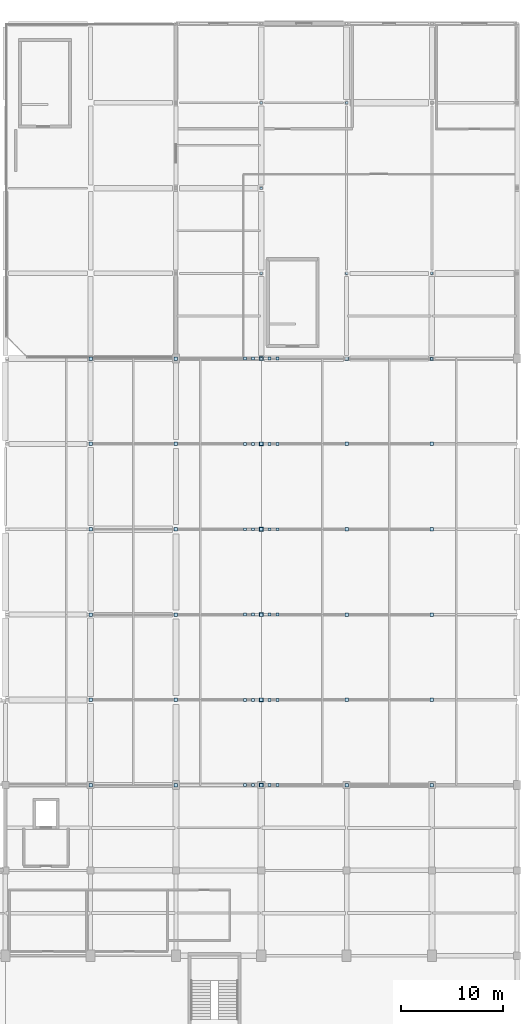
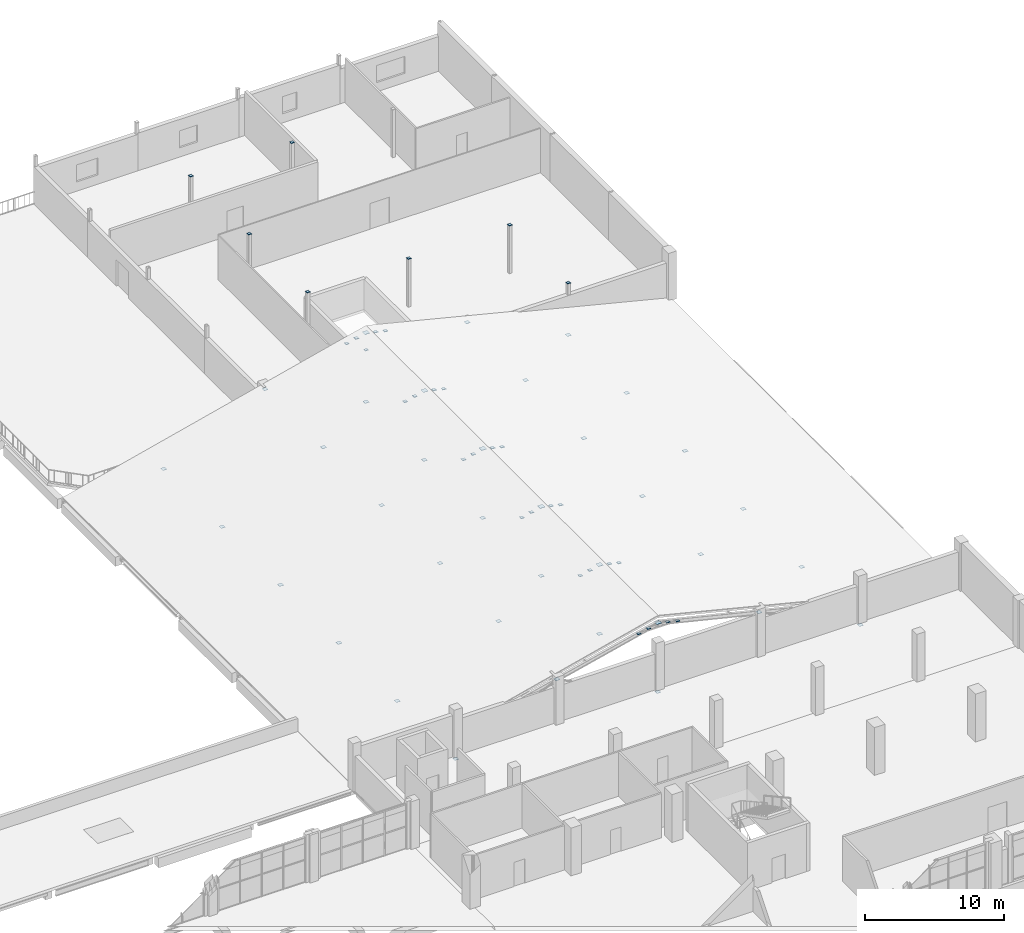
# One storey, part 49 of 64: 68 plates.
"""IFC4 building model written with IfcOpenShell, lengths in metres."""

from ifc_helpers import new_model, si_unit, derived_unit, direction, frame, origin, origin_2d, place, context, subcontext, project, spatial, rectangle, extrude, material, layer, layer_set, type_object, element, save


model = new_model("IFC4")

# Units and contexts
model_context = context("Model", 3, precision=1e-05, world=origin(), true_north=direction((0.0, 1.0)))
body_context = subcontext(model_context, "Body", "Model", "MODEL_VIEW")
ifc_project = project(units=[si_unit("LENGTHUNIT", "METRE"), si_unit("AREAUNIT", "SQUARE_METRE"), si_unit("VOLUMEUNIT", "CUBIC_METRE"), si_unit("PLANEANGLEUNIT", "RADIAN"), si_unit("MASSUNIT", "GRAM", prefix="KILO"), derived_unit("THERMALTRANSMITTANCEUNIT", [(si_unit("POWERUNIT", "WATT"), 1), (si_unit("LENGTHUNIT", "METRE"), -2), (si_unit("THERMODYNAMICTEMPERATUREUNIT", "KELVIN"), -1)])], contexts=[model_context])

# Site, building, storey
site_placement = place(None, origin())
site = spatial("IfcSite", under=ifc_project, at=site_placement, CompositionType="ELEMENT")
building_placement = place(site_placement, origin())
building = spatial("IfcBuilding", under=site, at=building_placement, Name="Barrovel Congress Hotel", CompositionType="ELEMENT")
storey_placement = place(building_placement, frame((0.0, 0.0, 14.10009765625)))
storey = spatial("IfcBuildingStorey", under=building, at=storey_placement, Name="L03", CompositionType="ELEMENT", Elevation=14.10009765625)

# Plates
ifc_material = material(Name="Steel ASTM A992 Grade 50", Category="steel")
ifc_layer_1 = layer(ifc_material, 0.011962890625)
ifc_layer_set_1 = layer_set([ifc_layer_1], Name="Steel ASTM A992 Grade 50")
plate_type_1 = type_object("IfcPlateType", Name="EC-12", PredefinedType="SHEET", material=ifc_layer_set_1)
for number, where, z_axis, x_axis, name in (
    (1, (151.199951171875, 79.800048828125, 4.19970703125), (0.0, 0.0, 1.0), (1.0, 0.0, 0.0), "End Cap Plate COL:L03:151.2:79.8 end"),
    (2, (151.199951171875, 88.199951171875, 4.19970703125), (0.0, 0.0, 1.0), (1.0, 0.0, 0.0), "End Cap Plate COL:L03:151.2:88.2 end"),
    (3, (151.199951171875, 96.60009765625, 4.19970703125), (0.0, 0.0, 1.0), (1.0, 0.0, 0.0), "End Cap Plate COL:L03:151.2:96.6 end"),
    (4, (151.199951171875, 105.0, 4.19970703125), (0.0, 0.0, 1.0), (1.0, 0.0, 0.0), "End Cap Plate COL:L03:151.2:105.0 end"),
    (5, (159.60009765625, 88.199951171875, 4.19970703125), (0.0, 0.0, 1.0), (1.0, 0.0, 0.0), "End Cap Plate COL:L03:159.6:88.2 end"),
    (6, (159.60009765625, 105.0, 4.19970703125), (0.0, 0.0, 1.0), (1.0, 0.0, 0.0), "End Cap Plate COL:L03:159.6:105.0 end"),
    (7, (168.0, 79.800048828125, 4.19970703125), (0.0, 0.0, 1.0), (1.0, 0.0, 0.0), "End Cap Plate COL:L03:168.0:79.8 end"),
    (8, (168.0, 88.199951171875, 4.19970703125), (0.0, 0.0, 1.0), (1.0, 0.0, 0.0), "End Cap Plate COL:L03:168.0:88.2 end"),
):
    element("IfcPlate", number, at=place(storey_placement, frame(where, z_axis=z_axis, x_axis=x_axis)), inside=storey, type_object=plate_type_1, Name=name, PredefinedType="SHEET", context=body_context, shape_type="SweptSolid", body=[
        extrude(rectangle(XDim=0.25390625, YDim=0.25390625, at=origin_2d()), origin(), (0.0, 0.0, 1.0), 0.011962890625),
    ])
ifc_layer_2 = layer(ifc_material, 0.01611328125)
ifc_layer_set_2 = layer_set([ifc_layer_2], Name="Steel ASTM A992 Grade 50")
plate_type_2 = type_object("IfcPlateType", Name="GP-16", PredefinedType="SHEET", material=ifc_layer_set_2)
for number, where, z_axis, x_axis, name in (
    (9, (134.39990234375, 37.800048828125, -0.38818359375), (0.0, 0.0, 1.0), (1.0, 0.0, 0.0), "V2-TR-NGP:1:1"),
    (10, (151.199951171875, 37.800048828125, -0.38818359375), (0.0, 0.0, 1.0), (1.0, 0.0, 0.0), "V2-TR-NGP:1:2"),
    (11, (168.0, 37.800048828125, -0.38818359375), (0.0, 0.0, 1.0), (1.0, 0.0, 0.0), "V2-TR-NGP:1:3"),
    (12, (142.800048828125, 37.800048828125, 3.667236328125), (0.0, 0.0, 1.0), (1.0, 0.0, 0.0), "V2-TR-NGP:1:4"),
    (13, (159.60009765625, 37.800048828125, 3.667236328125), (0.0, 0.0, 1.0), (1.0, 0.0, 0.0), "V2-TR-NGP:1:5"),
):
    element("IfcPlate", number, at=place(storey_placement, frame(where, z_axis=z_axis, x_axis=x_axis)), inside=storey, type_object=plate_type_2, Name=name, PredefinedType="SHEET", context=body_context, shape_type="SweptSolid", body=[
        extrude(rectangle(XDim=0.340087890625, YDim=0.340087890625, at=origin_2d()), origin(), (0.0, 0.0, 1.0), 0.01611328125),
    ])
for number, where, z_axis, x_axis, name in (
    (14, (150.39990234375, 37.800048828125, 5.501953125), (0.0, 0.0, 1.0), (1.0, 0.0, 0.0), "V2-TR-CSGP:1:PL"),
    (15, (152.0, 37.800048828125, 5.501953125), (0.0, 0.0, 1.0), (1.0, 0.0, 0.0), "V2-TR-CSGP:1:PR"),
    (16, (149.60009765625, 37.800048828125, 5.308837890625), (0.0, 0.0, 1.0), (1.0, 0.0, 0.0), "V2-TR-CSGP:1:SL"),
    (17, (152.800048828125, 37.800048828125, 5.308837890625), (0.0, 0.0, 1.0), (1.0, 0.0, 0.0), "V2-TR-CSGP:1:SR"),
):
    element("IfcPlate", number, at=place(storey_placement, frame(where, z_axis=z_axis, x_axis=x_axis)), inside=storey, type_object=plate_type_2, Name=name, PredefinedType="SHEET", context=body_context, shape_type="SweptSolid", body=[
        extrude(rectangle(XDim=0.280029296875, YDim=0.280029296875, at=origin_2d()), origin(), (0.0, 0.0, 1.0), 0.01611328125),
    ])
for number, where, z_axis, x_axis, name in (
    (18, (134.39990234375, 46.199951171875, -0.38818359375), (0.0, 0.0, 1.0), (1.0, 0.0, 0.0), "V2-TR-NGP:2:1"),
    (19, (151.199951171875, 46.199951171875, -0.38818359375), (0.0, 0.0, 1.0), (1.0, 0.0, 0.0), "V2-TR-NGP:2:2"),
    (20, (168.0, 46.199951171875, -0.38818359375), (0.0, 0.0, 1.0), (1.0, 0.0, 0.0), "V2-TR-NGP:2:3"),
    (21, (142.800048828125, 46.199951171875, 3.667236328125), (0.0, 0.0, 1.0), (1.0, 0.0, 0.0), "V2-TR-NGP:2:4"),
    (22, (159.60009765625, 46.199951171875, 3.667236328125), (0.0, 0.0, 1.0), (1.0, 0.0, 0.0), "V2-TR-NGP:2:5"),
):
    element("IfcPlate", number, at=place(storey_placement, frame(where, z_axis=z_axis, x_axis=x_axis)), inside=storey, type_object=plate_type_2, Name=name, PredefinedType="SHEET", context=body_context, shape_type="SweptSolid", body=[
        extrude(rectangle(XDim=0.340087890625, YDim=0.340087890625, at=origin_2d()), origin(), (0.0, 0.0, 1.0), 0.01611328125),
    ])
for number, where, z_axis, x_axis, name in (
    (23, (150.39990234375, 46.199951171875, 5.501953125), (0.0, 0.0, 1.0), (1.0, 0.0, 0.0), "V2-TR-CSGP:2:PL"),
    (24, (152.0, 46.199951171875, 5.501953125), (0.0, 0.0, 1.0), (1.0, 0.0, 0.0), "V2-TR-CSGP:2:PR"),
    (25, (149.60009765625, 46.199951171875, 5.308837890625), (0.0, 0.0, 1.0), (1.0, 0.0, 0.0), "V2-TR-CSGP:2:SL"),
    (26, (152.800048828125, 46.199951171875, 5.308837890625), (0.0, 0.0, 1.0), (1.0, 0.0, 0.0), "V2-TR-CSGP:2:SR"),
):
    element("IfcPlate", number, at=place(storey_placement, frame(where, z_axis=z_axis, x_axis=x_axis)), inside=storey, type_object=plate_type_2, Name=name, PredefinedType="SHEET", context=body_context, shape_type="SweptSolid", body=[
        extrude(rectangle(XDim=0.280029296875, YDim=0.280029296875, at=origin_2d()), origin(), (0.0, 0.0, 1.0), 0.01611328125),
    ])
for number, where, z_axis, x_axis, name in (
    (27, (134.39990234375, 54.60009765625, -0.38818359375), (0.0, 0.0, 1.0), (1.0, 0.0, 0.0), "V2-TR-NGP:3:1"),
    (28, (151.199951171875, 54.60009765625, -0.38818359375), (0.0, 0.0, 1.0), (1.0, 0.0, 0.0), "V2-TR-NGP:3:2"),
    (29, (168.0, 54.60009765625, -0.38818359375), (0.0, 0.0, 1.0), (1.0, 0.0, 0.0), "V2-TR-NGP:3:3"),
    (30, (142.800048828125, 54.60009765625, 3.667236328125), (0.0, 0.0, 1.0), (1.0, 0.0, 0.0), "V2-TR-NGP:3:4"),
    (31, (159.60009765625, 54.60009765625, 3.667236328125), (0.0, 0.0, 1.0), (1.0, 0.0, 0.0), "V2-TR-NGP:3:5"),
):
    element("IfcPlate", number, at=place(storey_placement, frame(where, z_axis=z_axis, x_axis=x_axis)), inside=storey, type_object=plate_type_2, Name=name, PredefinedType="SHEET", context=body_context, shape_type="SweptSolid", body=[
        extrude(rectangle(XDim=0.340087890625, YDim=0.340087890625, at=origin_2d()), origin(), (0.0, 0.0, 1.0), 0.01611328125),
    ])
for number, where, z_axis, x_axis, name in (
    (32, (150.39990234375, 54.60009765625, 5.501953125), (0.0, 0.0, 1.0), (1.0, 0.0, 0.0), "V2-TR-CSGP:3:PL"),
    (33, (152.0, 54.60009765625, 5.501953125), (0.0, 0.0, 1.0), (1.0, 0.0, 0.0), "V2-TR-CSGP:3:PR"),
    (34, (149.60009765625, 54.60009765625, 5.308837890625), (0.0, 0.0, 1.0), (1.0, 0.0, 0.0), "V2-TR-CSGP:3:SL"),
    (35, (152.800048828125, 54.60009765625, 5.308837890625), (0.0, 0.0, 1.0), (1.0, 0.0, 0.0), "V2-TR-CSGP:3:SR"),
):
    element("IfcPlate", number, at=place(storey_placement, frame(where, z_axis=z_axis, x_axis=x_axis)), inside=storey, type_object=plate_type_2, Name=name, PredefinedType="SHEET", context=body_context, shape_type="SweptSolid", body=[
        extrude(rectangle(XDim=0.280029296875, YDim=0.280029296875, at=origin_2d()), origin(), (0.0, 0.0, 1.0), 0.01611328125),
    ])
for number, where, z_axis, x_axis, name in (
    (36, (134.39990234375, 63.0, -0.38818359375), (0.0, 0.0, 1.0), (1.0, 0.0, 0.0), "V2-TR-NGP:4:1"),
    (37, (151.199951171875, 63.0, -0.38818359375), (0.0, 0.0, 1.0), (1.0, 0.0, 0.0), "V2-TR-NGP:4:2"),
    (38, (168.0, 63.0, -0.38818359375), (0.0, 0.0, 1.0), (1.0, 0.0, 0.0), "V2-TR-NGP:4:3"),
    (39, (142.800048828125, 63.0, 3.667236328125), (0.0, 0.0, 1.0), (1.0, 0.0, 0.0), "V2-TR-NGP:4:4"),
    (40, (159.60009765625, 63.0, 3.667236328125), (0.0, 0.0, 1.0), (1.0, 0.0, 0.0), "V2-TR-NGP:4:5"),
):
    element("IfcPlate", number, at=place(storey_placement, frame(where, z_axis=z_axis, x_axis=x_axis)), inside=storey, type_object=plate_type_2, Name=name, PredefinedType="SHEET", context=body_context, shape_type="SweptSolid", body=[
        extrude(rectangle(XDim=0.340087890625, YDim=0.340087890625, at=origin_2d()), origin(), (0.0, 0.0, 1.0), 0.01611328125),
    ])
for number, where, z_axis, x_axis, name in (
    (41, (150.39990234375, 63.0, 5.501953125), (0.0, 0.0, 1.0), (1.0, 0.0, 0.0), "V2-TR-CSGP:4:PL"),
    (42, (152.0, 63.0, 5.501953125), (0.0, 0.0, 1.0), (1.0, 0.0, 0.0), "V2-TR-CSGP:4:PR"),
    (43, (149.60009765625, 63.0, 5.308837890625), (0.0, 0.0, 1.0), (1.0, 0.0, 0.0), "V2-TR-CSGP:4:SL"),
    (44, (152.800048828125, 63.0, 5.308837890625), (0.0, 0.0, 1.0), (1.0, 0.0, 0.0), "V2-TR-CSGP:4:SR"),
):
    element("IfcPlate", number, at=place(storey_placement, frame(where, z_axis=z_axis, x_axis=x_axis)), inside=storey, type_object=plate_type_2, Name=name, PredefinedType="SHEET", context=body_context, shape_type="SweptSolid", body=[
        extrude(rectangle(XDim=0.280029296875, YDim=0.280029296875, at=origin_2d()), origin(), (0.0, 0.0, 1.0), 0.01611328125),
    ])
for number, where, z_axis, x_axis, name in (
    (45, (134.39990234375, 71.39990234375, -0.38818359375), (0.0, 0.0, 1.0), (1.0, 0.0, 0.0), "V2-TR-NGP:5:1"),
    (46, (151.199951171875, 71.39990234375, -0.38818359375), (0.0, 0.0, 1.0), (1.0, 0.0, 0.0), "V2-TR-NGP:5:2"),
    (47, (168.0, 71.39990234375, -0.38818359375), (0.0, 0.0, 1.0), (1.0, 0.0, 0.0), "V2-TR-NGP:5:3"),
    (48, (142.800048828125, 71.39990234375, 3.667236328125), (0.0, 0.0, 1.0), (1.0, 0.0, 0.0), "V2-TR-NGP:5:4"),
    (49, (159.60009765625, 71.39990234375, 3.667236328125), (0.0, 0.0, 1.0), (1.0, 0.0, 0.0), "V2-TR-NGP:5:5"),
):
    element("IfcPlate", number, at=place(storey_placement, frame(where, z_axis=z_axis, x_axis=x_axis)), inside=storey, type_object=plate_type_2, Name=name, PredefinedType="SHEET", context=body_context, shape_type="SweptSolid", body=[
        extrude(rectangle(XDim=0.340087890625, YDim=0.340087890625, at=origin_2d()), origin(), (0.0, 0.0, 1.0), 0.01611328125),
    ])
for number, where, z_axis, x_axis, name in (
    (50, (150.39990234375, 71.39990234375, 5.501953125), (0.0, 0.0, 1.0), (1.0, 0.0, 0.0), "V2-TR-CSGP:5:PL"),
    (51, (152.0, 71.39990234375, 5.501953125), (0.0, 0.0, 1.0), (1.0, 0.0, 0.0), "V2-TR-CSGP:5:PR"),
    (52, (149.60009765625, 71.39990234375, 5.308837890625), (0.0, 0.0, 1.0), (1.0, 0.0, 0.0), "V2-TR-CSGP:5:SL"),
    (53, (152.800048828125, 71.39990234375, 5.308837890625), (0.0, 0.0, 1.0), (1.0, 0.0, 0.0), "V2-TR-CSGP:5:SR"),
):
    element("IfcPlate", number, at=place(storey_placement, frame(where, z_axis=z_axis, x_axis=x_axis)), inside=storey, type_object=plate_type_2, Name=name, PredefinedType="SHEET", context=body_context, shape_type="SweptSolid", body=[
        extrude(rectangle(XDim=0.280029296875, YDim=0.280029296875, at=origin_2d()), origin(), (0.0, 0.0, 1.0), 0.01611328125),
    ])
for number, where, z_axis, x_axis, name in (
    (54, (134.39990234375, 79.800048828125, -0.38818359375), (0.0, 0.0, 1.0), (1.0, 0.0, 0.0), "V2-TR-NGP:6:1"),
    (55, (151.199951171875, 79.800048828125, -0.38818359375), (0.0, 0.0, 1.0), (1.0, 0.0, 0.0), "V2-TR-NGP:6:2"),
    (56, (168.0, 79.800048828125, -0.38818359375), (0.0, 0.0, 1.0), (1.0, 0.0, 0.0), "V2-TR-NGP:6:3"),
    (57, (142.800048828125, 79.800048828125, 3.667236328125), (0.0, 0.0, 1.0), (1.0, 0.0, 0.0), "V2-TR-NGP:6:4"),
    (58, (159.60009765625, 79.800048828125, 3.667236328125), (0.0, 0.0, 1.0), (1.0, 0.0, 0.0), "V2-TR-NGP:6:5"),
):
    element("IfcPlate", number, at=place(storey_placement, frame(where, z_axis=z_axis, x_axis=x_axis)), inside=storey, type_object=plate_type_2, Name=name, PredefinedType="SHEET", context=body_context, shape_type="SweptSolid", body=[
        extrude(rectangle(XDim=0.340087890625, YDim=0.340087890625, at=origin_2d()), origin(), (0.0, 0.0, 1.0), 0.01611328125),
    ])
for number, where, z_axis, x_axis, name in (
    (59, (150.39990234375, 79.800048828125, 5.501953125), (0.0, 0.0, 1.0), (1.0, 0.0, 0.0), "V2-TR-CSGP:6:PL"),
    (60, (152.0, 79.800048828125, 5.501953125), (0.0, 0.0, 1.0), (1.0, 0.0, 0.0), "V2-TR-CSGP:6:PR"),
    (61, (149.60009765625, 79.800048828125, 5.308837890625), (0.0, 0.0, 1.0), (1.0, 0.0, 0.0), "V2-TR-CSGP:6:SL"),
    (62, (152.800048828125, 79.800048828125, 5.308837890625), (0.0, 0.0, 1.0), (1.0, 0.0, 0.0), "V2-TR-CSGP:6:SR"),
):
    element("IfcPlate", number, at=place(storey_placement, frame(where, z_axis=z_axis, x_axis=x_axis)), inside=storey, type_object=plate_type_2, Name=name, PredefinedType="SHEET", context=body_context, shape_type="SweptSolid", body=[
        extrude(rectangle(XDim=0.280029296875, YDim=0.280029296875, at=origin_2d()), origin(), (0.0, 0.0, 1.0), 0.01611328125),
    ])
ifc_layer_3 = layer(ifc_material, 0.02392578125)
ifc_layer_set_3 = layer_set([ifc_layer_3], Name="Steel ASTM A992 Grade 50")
plate_type_3 = type_object("IfcPlateType", Name="GP-24", PredefinedType="SHEET", material=ifc_layer_set_3)
for number, where, z_axis, x_axis, name in (
    (63, (151.199951171875, 37.800048828125, 5.69091796875), (0.0, 0.0, 1.0), (1.0, 0.0, 0.0), "V2-TR-GP:1:PK"),
    (64, (151.199951171875, 46.199951171875, 5.69091796875), (0.0, 0.0, 1.0), (1.0, 0.0, 0.0), "V2-TR-GP:2:PK"),
    (65, (151.199951171875, 54.60009765625, 5.69091796875), (0.0, 0.0, 1.0), (1.0, 0.0, 0.0), "V2-TR-GP:3:PK"),
    (66, (151.199951171875, 63.0, 5.69091796875), (0.0, 0.0, 1.0), (1.0, 0.0, 0.0), "V2-TR-GP:4:PK"),
    (67, (151.199951171875, 71.39990234375, 5.69091796875), (0.0, 0.0, 1.0), (1.0, 0.0, 0.0), "V2-TR-GP:5:PK"),
    (68, (151.199951171875, 79.800048828125, 5.69091796875), (0.0, 0.0, 1.0), (1.0, 0.0, 0.0), "V2-TR-GP:6:PK"),
):
    element("IfcPlate", number, at=place(storey_placement, frame(where, z_axis=z_axis, x_axis=x_axis)), inside=storey, type_object=plate_type_3, Name=name, PredefinedType="SHEET", context=body_context, shape_type="SweptSolid", body=[
        extrude(rectangle(XDim=0.39990234375, YDim=0.39990234375, at=origin_2d()), origin(), (0.0, 0.0, 1.0), 0.02392578125),
    ])

save(model, "model.ifc")
